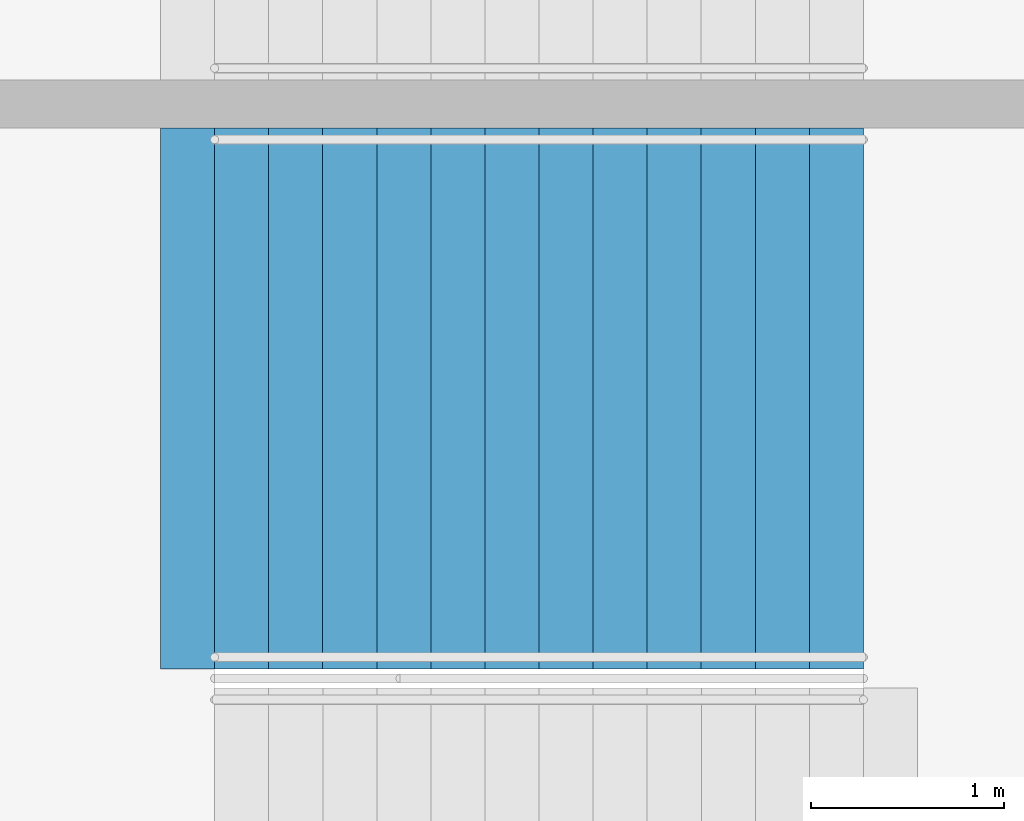
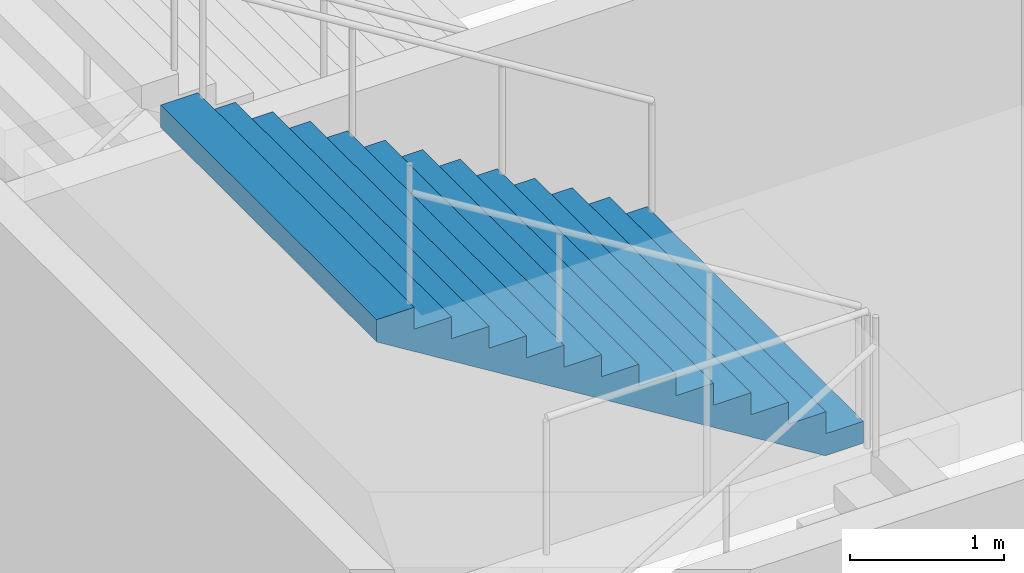
# One storey, part 120 of 177: 1 stair flight, 1 element without a shape of its own.
"""IFC4 building model written with IfcOpenShell, lengths in metres."""

from ifc_helpers import new_model, si_unit, direction, frame, origin, place, context, subcontext, project, spatial, faceted_brep, material, type_object, element, aggregate, save


model = new_model("IFC4")

# Units and contexts
model_context = context("Model", 3, precision=1e-05, world=origin(), true_north=direction((0.0, 1.0)))
body_context = subcontext(model_context, "Body", "Model", "MODEL_VIEW")
ifc_project = project(units=[si_unit("LENGTHUNIT", "METRE"), si_unit("AREAUNIT", "SQUARE_METRE"), si_unit("VOLUMEUNIT", "CUBIC_METRE"), si_unit("PLANEANGLEUNIT", "RADIAN"), si_unit("MASSUNIT", "GRAM", prefix="KILO")], contexts=[model_context])

# Site, building, storey
site_placement = place(None, origin())
site = spatial("IfcSite", under=ifc_project, at=site_placement, CompositionType="ELEMENT")
building_placement = place(site_placement, origin())
building = spatial("IfcBuilding", under=site, at=building_placement, Name="Ogive Plaza Stadium", CompositionType="ELEMENT")
storey_placement = place(building_placement, frame((0.0, 0.0, 18.0)))
storey = spatial("IfcBuildingStorey", under=building, at=storey_placement, Name="L04", CompositionType="ELEMENT", Elevation=18.0)

# Stair, stair flight
ifc_material_1 = material(Name="Concrete C40/50", Category="concrete")
stair_type = type_object("IfcStairType", Name="Exit stair", PredefinedType="STRAIGHT_RUN_STAIR", material=ifc_material_1)
stair_placement = place(storey_placement, origin())
stair = element("IfcStair", 1, at=stair_placement, inside=storey, type_object=stair_type, Name="Exit stair ST08A L04 to L05", PredefinedType="STRAIGHT_RUN_STAIR")
ifc_material_2 = material(Name="Concrete C40/50", Category="concrete")
stair_flight_type = type_object("IfcStairFlightType", Name="Exit stair flight", PredefinedType="STRAIGHT", material=ifc_material_2)
stair_flight_placement = place(storey_placement, frame((79.7099609375, -54.02490234375, 2.25), z_axis=(0.0, 0.0, 1.0), x_axis=(-1.0, 0.0, 0.0)))
stair_flight = element("IfcStairFlight", 2, at=stair_flight_placement, type_object=stair_flight_type, Name="ST08A flight 2", NumberOfRisers=13, NumberOfTreads=12, PredefinedType="STRAIGHT", RiserHeight=0.173076923, TreadLength=0.28, context=body_context, shape_type="Brep", body=[
    faceted_brep([(0.28515625, -1.39990234375, 0.0), (3.639892578125, -1.39990234375, 2.07373046875), (3.639892578125, -1.39990234375, 2.25), (3.360107421875, -1.39990234375, 2.25), (3.360107421875, -1.39990234375, 2.076904296875), (3.080078125, -1.39990234375, 2.076904296875), (3.080078125, -1.39990234375, 1.90380859375), (2.800048828125, -1.39990234375, 1.90380859375), (2.800048828125, -1.39990234375, 1.730712890625), (2.52001953125, -1.39990234375, 1.730712890625), (2.52001953125, -1.39990234375, 1.5576171875), (2.239990234375, -1.39990234375, 1.5576171875), (2.239990234375, -1.39990234375, 1.384521484375), (1.9599609375, -1.39990234375, 1.384521484375), (1.9599609375, -1.39990234375, 1.21142578125), (1.679931640625, -1.39990234375, 1.21142578125), (1.679931640625, -1.39990234375, 1.03857421875), (1.39990234375, -1.39990234375, 1.03857421875), (1.39990234375, -1.39990234375, 0.865478515625), (1.1201171875, -1.39990234375, 0.865478515625), (1.1201171875, -1.39990234375, 0.6923828125), (0.840087890625, -1.39990234375, 0.6923828125), (0.840087890625, -1.39990234375, 0.519287109375), (0.56005859375, -1.39990234375, 0.519287109375), (0.56005859375, -1.39990234375, 0.34619140625), (0.280029296875, -1.39990234375, 0.34619140625), (0.280029296875, -1.39990234375, 0.173095703125), (0.0, -1.39990234375, 0.173095703125), (0.0, -1.39990234375, 0.0), (0.0, 1.39990234375, 0.0), (0.0, 1.39990234375, 0.173095703125), (0.280029296875, 1.39990234375, 0.173095703125), (0.280029296875, 1.39990234375, 0.34619140625), (0.56005859375, 1.39990234375, 0.34619140625), (0.56005859375, 1.39990234375, 0.519287109375), (0.840087890625, 1.39990234375, 0.519287109375), (0.840087890625, 1.39990234375, 0.6923828125), (1.1201171875, 1.39990234375, 0.6923828125), (1.1201171875, 1.39990234375, 0.865478515625), (1.39990234375, 1.39990234375, 0.865478515625), (1.39990234375, 1.39990234375, 1.03857421875), (1.679931640625, 1.39990234375, 1.03857421875), (1.679931640625, 1.39990234375, 1.21142578125), (1.9599609375, 1.39990234375, 1.21142578125), (1.9599609375, 1.39990234375, 1.384521484375), (2.239990234375, 1.39990234375, 1.384521484375), (2.239990234375, 1.39990234375, 1.5576171875), (2.52001953125, 1.39990234375, 1.5576171875), (2.52001953125, 1.39990234375, 1.730712890625), (2.800048828125, 1.39990234375, 1.730712890625), (2.800048828125, 1.39990234375, 1.90380859375), (3.080078125, 1.39990234375, 1.90380859375), (3.080078125, 1.39990234375, 2.076904296875), (3.360107421875, 1.39990234375, 2.076904296875), (3.360107421875, 1.39990234375, 2.25), (3.639892578125, 1.39990234375, 2.25), (3.639892578125, 1.39990234375, 2.07373046875), (0.28515625, 1.39990234375, 0.0), (0.28515625, -1.0888671875, 0.0), (3.639892578125, -1.0888671875, 2.07373046875), (0.28515625, -0.77783203125, 0.0), (3.639892578125, -0.77783203125, 2.07373046875), (0.28515625, -0.466796875, 0.0), (3.639892578125, -0.466796875, 2.07373046875), (0.28515625, -0.155517578125, 0.0), (3.639892578125, -0.155517578125, 2.07373046875), (0.28515625, 0.155517578125, 0.0), (3.639892578125, 0.155517578125, 2.07373046875), (0.28515625, 0.466796875, 0.0), (3.639892578125, 0.466796875, 2.07373046875), (0.28515625, 0.77783203125, 0.0), (3.639892578125, 0.77783203125, 2.07373046875), (0.28515625, 1.0888671875, 0.0), (3.639892578125, 1.0888671875, 2.07373046875), (3.639892578125, -1.0888671875, 2.25), (3.639892578125, -0.77783203125, 2.25), (3.639892578125, -0.466796875, 2.25), (3.639892578125, -0.155517578125, 2.25), (3.639892578125, 0.155517578125, 2.25), (3.639892578125, 0.466796875, 2.25), (3.639892578125, 0.77783203125, 2.25), (3.639892578125, 1.0888671875, 2.25), (3.360107421875, -1.0888671875, 2.25), (3.360107421875, -0.77783203125, 2.25), (3.360107421875, -0.466796875, 2.25), (3.360107421875, -0.155517578125, 2.25), (3.360107421875, 0.155517578125, 2.25), (3.360107421875, 0.466796875, 2.25), (3.360107421875, 0.77783203125, 2.25), (3.360107421875, 1.0888671875, 2.25), (3.360107421875, -1.0888671875, 2.076904296875), (3.360107421875, -0.77783203125, 2.076904296875), (3.360107421875, -0.466796875, 2.076904296875), (3.360107421875, -0.155517578125, 2.076904296875), (3.360107421875, 0.155517578125, 2.076904296875), (3.360107421875, 0.466796875, 2.076904296875), (3.360107421875, 0.77783203125, 2.076904296875), (3.360107421875, 1.0888671875, 2.076904296875), (3.080078125, -1.0888671875, 2.076904296875), (3.080078125, -0.77783203125, 2.076904296875), (3.080078125, -0.466796875, 2.076904296875), (3.080078125, -0.155517578125, 2.076904296875), (3.080078125, 0.155517578125, 2.076904296875), (3.080078125, 0.466796875, 2.076904296875), (3.080078125, 0.77783203125, 2.076904296875), (3.080078125, 1.0888671875, 2.076904296875), (3.080078125, -1.0888671875, 1.90380859375), (3.080078125, -0.77783203125, 1.90380859375), (3.080078125, -0.466796875, 1.90380859375), (3.080078125, -0.155517578125, 1.90380859375), (3.080078125, 0.155517578125, 1.90380859375), (3.080078125, 0.466796875, 1.90380859375), (3.080078125, 0.77783203125, 1.90380859375), (3.080078125, 1.0888671875, 1.90380859375), (2.800048828125, -1.0888671875, 1.90380859375), (2.800048828125, -0.77783203125, 1.90380859375), (2.800048828125, -0.466796875, 1.90380859375), (2.800048828125, -0.155517578125, 1.90380859375), (2.800048828125, 0.155517578125, 1.90380859375), (2.800048828125, 0.466796875, 1.90380859375), (2.800048828125, 0.77783203125, 1.90380859375), (2.800048828125, 1.0888671875, 1.90380859375), (2.800048828125, -1.0888671875, 1.730712890625), (2.800048828125, -0.77783203125, 1.730712890625), (2.800048828125, -0.466796875, 1.730712890625), (2.800048828125, -0.155517578125, 1.730712890625), (2.800048828125, 0.155517578125, 1.730712890625), (2.800048828125, 0.466796875, 1.730712890625), (2.800048828125, 0.77783203125, 1.730712890625), (2.800048828125, 1.0888671875, 1.730712890625), (2.52001953125, -1.0888671875, 1.730712890625), (2.52001953125, -0.77783203125, 1.730712890625), (2.52001953125, -0.466796875, 1.730712890625), (2.52001953125, -0.155517578125, 1.730712890625), (2.52001953125, 0.155517578125, 1.730712890625), (2.52001953125, 0.466796875, 1.730712890625), (2.52001953125, 0.77783203125, 1.730712890625), (2.52001953125, 1.0888671875, 1.730712890625), (2.52001953125, -1.0888671875, 1.5576171875), (2.52001953125, -0.77783203125, 1.5576171875), (2.52001953125, -0.466796875, 1.5576171875), (2.52001953125, -0.155517578125, 1.5576171875), (2.52001953125, 0.155517578125, 1.5576171875), (2.52001953125, 0.466796875, 1.5576171875), (2.52001953125, 0.77783203125, 1.5576171875), (2.52001953125, 1.0888671875, 1.5576171875), (2.239990234375, -1.0888671875, 1.5576171875), (2.239990234375, -0.77783203125, 1.5576171875), (2.239990234375, -0.466796875, 1.5576171875), (2.239990234375, -0.155517578125, 1.5576171875), (2.239990234375, 0.155517578125, 1.5576171875), (2.239990234375, 0.466796875, 1.5576171875), (2.239990234375, 0.77783203125, 1.5576171875), (2.239990234375, 1.0888671875, 1.5576171875), (2.239990234375, -1.0888671875, 1.384521484375), (2.239990234375, -0.77783203125, 1.384521484375), (2.239990234375, -0.466796875, 1.384521484375), (2.239990234375, -0.155517578125, 1.384521484375), (2.239990234375, 0.155517578125, 1.384521484375), (2.239990234375, 0.466796875, 1.384521484375), (2.239990234375, 0.77783203125, 1.384521484375), (2.239990234375, 1.0888671875, 1.384521484375), (1.9599609375, -1.0888671875, 1.384521484375), (1.9599609375, -0.77783203125, 1.384521484375), (1.9599609375, -0.466796875, 1.384521484375), (1.9599609375, -0.155517578125, 1.384521484375), (1.9599609375, 0.155517578125, 1.384521484375), (1.9599609375, 0.466796875, 1.384521484375), (1.9599609375, 0.77783203125, 1.384521484375), (1.9599609375, 1.0888671875, 1.384521484375), (1.9599609375, -1.0888671875, 1.21142578125), (1.9599609375, -0.77783203125, 1.21142578125), (1.9599609375, -0.466796875, 1.21142578125), (1.9599609375, -0.155517578125, 1.21142578125), (1.9599609375, 0.155517578125, 1.21142578125), (1.9599609375, 0.466796875, 1.21142578125), (1.9599609375, 0.77783203125, 1.21142578125), (1.9599609375, 1.0888671875, 1.21142578125), (1.679931640625, -1.0888671875, 1.21142578125), (1.679931640625, -0.77783203125, 1.21142578125), (1.679931640625, -0.466796875, 1.21142578125), (1.679931640625, -0.155517578125, 1.21142578125), (1.679931640625, 0.155517578125, 1.21142578125), (1.679931640625, 0.466796875, 1.21142578125), (1.679931640625, 0.77783203125, 1.21142578125), (1.679931640625, 1.0888671875, 1.21142578125), (1.679931640625, -1.0888671875, 1.03857421875), (1.679931640625, -0.77783203125, 1.03857421875), (1.679931640625, -0.466796875, 1.03857421875), (1.679931640625, -0.155517578125, 1.03857421875), (1.679931640625, 0.155517578125, 1.03857421875), (1.679931640625, 0.466796875, 1.03857421875), (1.679931640625, 0.77783203125, 1.03857421875), (1.679931640625, 1.0888671875, 1.03857421875), (1.39990234375, -1.0888671875, 1.03857421875), (1.39990234375, -0.77783203125, 1.03857421875), (1.39990234375, -0.466796875, 1.03857421875), (1.39990234375, -0.155517578125, 1.03857421875), (1.39990234375, 0.155517578125, 1.03857421875), (1.39990234375, 0.466796875, 1.03857421875), (1.39990234375, 0.77783203125, 1.03857421875), (1.39990234375, 1.0888671875, 1.03857421875), (1.39990234375, -1.0888671875, 0.865478515625), (1.39990234375, -0.77783203125, 0.865478515625), (1.39990234375, -0.466796875, 0.865478515625), (1.39990234375, -0.155517578125, 0.865478515625), (1.39990234375, 0.155517578125, 0.865478515625), (1.39990234375, 0.466796875, 0.865478515625), (1.39990234375, 0.77783203125, 0.865478515625), (1.39990234375, 1.0888671875, 0.865478515625), (1.1201171875, -1.0888671875, 0.865478515625), (1.1201171875, -0.77783203125, 0.865478515625), (1.1201171875, -0.466796875, 0.865478515625), (1.1201171875, -0.155517578125, 0.865478515625), (1.1201171875, 0.155517578125, 0.865478515625), (1.1201171875, 0.466796875, 0.865478515625), (1.1201171875, 0.77783203125, 0.865478515625), (1.1201171875, 1.0888671875, 0.865478515625), (1.1201171875, -1.0888671875, 0.6923828125), (1.1201171875, -0.77783203125, 0.6923828125), (1.1201171875, -0.466796875, 0.6923828125), (1.1201171875, -0.155517578125, 0.6923828125), (1.1201171875, 0.155517578125, 0.6923828125), (1.1201171875, 0.466796875, 0.6923828125), (1.1201171875, 0.77783203125, 0.6923828125), (1.1201171875, 1.0888671875, 0.6923828125), (0.840087890625, -1.0888671875, 0.6923828125), (0.840087890625, -0.77783203125, 0.6923828125), (0.840087890625, -0.466796875, 0.6923828125), (0.840087890625, -0.155517578125, 0.6923828125), (0.840087890625, 0.155517578125, 0.6923828125), (0.840087890625, 0.466796875, 0.6923828125), (0.840087890625, 0.77783203125, 0.6923828125), (0.840087890625, 1.0888671875, 0.6923828125), (0.840087890625, -1.0888671875, 0.519287109375), (0.840087890625, -0.77783203125, 0.519287109375), (0.840087890625, -0.466796875, 0.519287109375), (0.840087890625, -0.155517578125, 0.519287109375), (0.840087890625, 0.155517578125, 0.519287109375), (0.840087890625, 0.466796875, 0.519287109375), (0.840087890625, 0.77783203125, 0.519287109375), (0.840087890625, 1.0888671875, 0.519287109375), (0.56005859375, -1.0888671875, 0.519287109375), (0.56005859375, -0.77783203125, 0.519287109375), (0.56005859375, -0.466796875, 0.519287109375), (0.56005859375, -0.155517578125, 0.519287109375), (0.56005859375, 0.155517578125, 0.519287109375), (0.56005859375, 0.466796875, 0.519287109375), (0.56005859375, 0.77783203125, 0.519287109375), (0.56005859375, 1.0888671875, 0.519287109375), (0.56005859375, -1.0888671875, 0.34619140625), (0.56005859375, -0.77783203125, 0.34619140625), (0.56005859375, -0.466796875, 0.34619140625), (0.56005859375, -0.155517578125, 0.34619140625), (0.56005859375, 0.155517578125, 0.34619140625), (0.56005859375, 0.466796875, 0.34619140625), (0.56005859375, 0.77783203125, 0.34619140625), (0.56005859375, 1.0888671875, 0.34619140625), (0.280029296875, -1.0888671875, 0.34619140625), (0.280029296875, -0.77783203125, 0.34619140625), (0.280029296875, -0.466796875, 0.34619140625), (0.280029296875, -0.155517578125, 0.34619140625), (0.280029296875, 0.155517578125, 0.34619140625), (0.280029296875, 0.466796875, 0.34619140625), (0.280029296875, 0.77783203125, 0.34619140625), (0.280029296875, 1.0888671875, 0.34619140625), (0.280029296875, -1.0888671875, 0.173095703125), (0.280029296875, -0.77783203125, 0.173095703125), (0.280029296875, -0.466796875, 0.173095703125), (0.280029296875, -0.155517578125, 0.173095703125), (0.280029296875, 0.155517578125, 0.173095703125), (0.280029296875, 0.466796875, 0.173095703125), (0.280029296875, 0.77783203125, 0.173095703125), (0.280029296875, 1.0888671875, 0.173095703125), (0.0, -1.0888671875, 0.173095703125), (0.0, -0.77783203125, 0.173095703125), (0.0, -0.466796875, 0.173095703125), (0.0, -0.155517578125, 0.173095703125), (0.0, 0.155517578125, 0.173095703125), (0.0, 0.466796875, 0.173095703125), (0.0, 0.77783203125, 0.173095703125), (0.0, 1.0888671875, 0.173095703125), (0.0, -1.0888671875, 0.0), (0.0, -0.77783203125, 0.0), (0.0, -0.466796875, 0.0), (0.0, -0.155517578125, 0.0), (0.0, 0.155517578125, 0.0), (0.0, 0.466796875, 0.0), (0.0, 0.77783203125, 0.0), (0.0, 1.0888671875, 0.0)], [[[0, 1, 2, 3, 4, 5, 6, 7, 8, 9, 10, 11, 12, 13, 14, 15, 16, 17, 18, 19, 20, 21, 22, 23, 24, 25, 26, 27, 28]], [[29, 30, 31, 32, 33, 34, 35, 36, 37, 38, 39, 40, 41, 42, 43, 44, 45, 46, 47, 48, 49, 50, 51, 52, 53, 54, 55, 56, 57]], [[0, 58, 59, 1]], [[58, 60, 61, 59]], [[60, 62, 63, 61]], [[62, 64, 65, 63]], [[64, 66, 67, 65]], [[66, 68, 69, 67]], [[68, 70, 71, 69]], [[70, 72, 73, 71]], [[72, 57, 56, 73]], [[1, 59, 74, 2]], [[59, 61, 75, 74]], [[61, 63, 76, 75]], [[63, 65, 77, 76]], [[65, 67, 78, 77]], [[67, 69, 79, 78]], [[69, 71, 80, 79]], [[71, 73, 81, 80]], [[73, 56, 55, 81]], [[2, 74, 82, 3]], [[74, 75, 83, 82]], [[75, 76, 84, 83]], [[76, 77, 85, 84]], [[77, 78, 86, 85]], [[78, 79, 87, 86]], [[79, 80, 88, 87]], [[80, 81, 89, 88]], [[81, 55, 54, 89]], [[3, 82, 90, 4]], [[82, 83, 91, 90]], [[83, 84, 92, 91]], [[84, 85, 93, 92]], [[85, 86, 94, 93]], [[86, 87, 95, 94]], [[87, 88, 96, 95]], [[88, 89, 97, 96]], [[89, 54, 53, 97]], [[4, 90, 98, 5]], [[90, 91, 99, 98]], [[91, 92, 100, 99]], [[92, 93, 101, 100]], [[93, 94, 102, 101]], [[94, 95, 103, 102]], [[95, 96, 104, 103]], [[96, 97, 105, 104]], [[97, 53, 52, 105]], [[5, 98, 106, 6]], [[98, 99, 107, 106]], [[99, 100, 108, 107]], [[100, 101, 109, 108]], [[101, 102, 110, 109]], [[102, 103, 111, 110]], [[103, 104, 112, 111]], [[104, 105, 113, 112]], [[105, 52, 51, 113]], [[6, 106, 114, 7]], [[106, 107, 115, 114]], [[107, 108, 116, 115]], [[108, 109, 117, 116]], [[109, 110, 118, 117]], [[110, 111, 119, 118]], [[111, 112, 120, 119]], [[112, 113, 121, 120]], [[113, 51, 50, 121]], [[7, 114, 122, 8]], [[114, 115, 123, 122]], [[115, 116, 124, 123]], [[116, 117, 125, 124]], [[117, 118, 126, 125]], [[118, 119, 127, 126]], [[119, 120, 128, 127]], [[120, 121, 129, 128]], [[121, 50, 49, 129]], [[8, 122, 130, 9]], [[122, 123, 131, 130]], [[123, 124, 132, 131]], [[124, 125, 133, 132]], [[125, 126, 134, 133]], [[126, 127, 135, 134]], [[127, 128, 136, 135]], [[128, 129, 137, 136]], [[129, 49, 48, 137]], [[9, 130, 138, 10]], [[130, 131, 139, 138]], [[131, 132, 140, 139]], [[132, 133, 141, 140]], [[133, 134, 142, 141]], [[134, 135, 143, 142]], [[135, 136, 144, 143]], [[136, 137, 145, 144]], [[137, 48, 47, 145]], [[10, 138, 146, 11]], [[138, 139, 147, 146]], [[139, 140, 148, 147]], [[140, 141, 149, 148]], [[141, 142, 150, 149]], [[142, 143, 151, 150]], [[143, 144, 152, 151]], [[144, 145, 153, 152]], [[145, 47, 46, 153]], [[11, 146, 154, 12]], [[146, 147, 155, 154]], [[147, 148, 156, 155]], [[148, 149, 157, 156]], [[149, 150, 158, 157]], [[150, 151, 159, 158]], [[151, 152, 160, 159]], [[152, 153, 161, 160]], [[153, 46, 45, 161]], [[12, 154, 162, 13]], [[154, 155, 163, 162]], [[155, 156, 164, 163]], [[156, 157, 165, 164]], [[157, 158, 166, 165]], [[158, 159, 167, 166]], [[159, 160, 168, 167]], [[160, 161, 169, 168]], [[161, 45, 44, 169]], [[13, 162, 170, 14]], [[162, 163, 171, 170]], [[163, 164, 172, 171]], [[164, 165, 173, 172]], [[165, 166, 174, 173]], [[166, 167, 175, 174]], [[167, 168, 176, 175]], [[168, 169, 177, 176]], [[169, 44, 43, 177]], [[14, 170, 178, 15]], [[170, 171, 179, 178]], [[171, 172, 180, 179]], [[172, 173, 181, 180]], [[173, 174, 182, 181]], [[174, 175, 183, 182]], [[175, 176, 184, 183]], [[176, 177, 185, 184]], [[177, 43, 42, 185]], [[15, 178, 186, 16]], [[178, 179, 187, 186]], [[179, 180, 188, 187]], [[180, 181, 189, 188]], [[181, 182, 190, 189]], [[182, 183, 191, 190]], [[183, 184, 192, 191]], [[184, 185, 193, 192]], [[185, 42, 41, 193]], [[16, 186, 194, 17]], [[186, 187, 195, 194]], [[187, 188, 196, 195]], [[188, 189, 197, 196]], [[189, 190, 198, 197]], [[190, 191, 199, 198]], [[191, 192, 200, 199]], [[192, 193, 201, 200]], [[193, 41, 40, 201]], [[17, 194, 202, 18]], [[194, 195, 203, 202]], [[195, 196, 204, 203]], [[196, 197, 205, 204]], [[197, 198, 206, 205]], [[198, 199, 207, 206]], [[199, 200, 208, 207]], [[200, 201, 209, 208]], [[201, 40, 39, 209]], [[18, 202, 210, 19]], [[202, 203, 211, 210]], [[203, 204, 212, 211]], [[204, 205, 213, 212]], [[205, 206, 214, 213]], [[206, 207, 215, 214]], [[207, 208, 216, 215]], [[208, 209, 217, 216]], [[209, 39, 38, 217]], [[19, 210, 218, 20]], [[210, 211, 219, 218]], [[211, 212, 220, 219]], [[212, 213, 221, 220]], [[213, 214, 222, 221]], [[214, 215, 223, 222]], [[215, 216, 224, 223]], [[216, 217, 225, 224]], [[217, 38, 37, 225]], [[20, 218, 226, 21]], [[218, 219, 227, 226]], [[219, 220, 228, 227]], [[220, 221, 229, 228]], [[221, 222, 230, 229]], [[222, 223, 231, 230]], [[223, 224, 232, 231]], [[224, 225, 233, 232]], [[225, 37, 36, 233]], [[21, 226, 234, 22]], [[226, 227, 235, 234]], [[227, 228, 236, 235]], [[228, 229, 237, 236]], [[229, 230, 238, 237]], [[230, 231, 239, 238]], [[231, 232, 240, 239]], [[232, 233, 241, 240]], [[233, 36, 35, 241]], [[22, 234, 242, 23]], [[234, 235, 243, 242]], [[235, 236, 244, 243]], [[236, 237, 245, 244]], [[237, 238, 246, 245]], [[238, 239, 247, 246]], [[239, 240, 248, 247]], [[240, 241, 249, 248]], [[241, 35, 34, 249]], [[23, 242, 250, 24]], [[242, 243, 251, 250]], [[243, 244, 252, 251]], [[244, 245, 253, 252]], [[245, 246, 254, 253]], [[246, 247, 255, 254]], [[247, 248, 256, 255]], [[248, 249, 257, 256]], [[249, 34, 33, 257]], [[24, 250, 258, 25]], [[250, 251, 259, 258]], [[251, 252, 260, 259]], [[252, 253, 261, 260]], [[253, 254, 262, 261]], [[254, 255, 263, 262]], [[255, 256, 264, 263]], [[256, 257, 265, 264]], [[257, 33, 32, 265]], [[25, 258, 266, 26]], [[258, 259, 267, 266]], [[259, 260, 268, 267]], [[260, 261, 269, 268]], [[261, 262, 270, 269]], [[262, 263, 271, 270]], [[263, 264, 272, 271]], [[264, 265, 273, 272]], [[265, 32, 31, 273]], [[26, 266, 274, 27]], [[266, 267, 275, 274]], [[267, 268, 276, 275]], [[268, 269, 277, 276]], [[269, 270, 278, 277]], [[270, 271, 279, 278]], [[271, 272, 280, 279]], [[272, 273, 281, 280]], [[273, 31, 30, 281]], [[27, 274, 282, 28]], [[274, 275, 283, 282]], [[275, 276, 284, 283]], [[276, 277, 285, 284]], [[277, 278, 286, 285]], [[278, 279, 287, 286]], [[279, 280, 288, 287]], [[280, 281, 289, 288]], [[281, 30, 29, 289]], [[28, 282, 58, 0]], [[282, 283, 60, 58]], [[283, 284, 62, 60]], [[284, 285, 64, 62]], [[285, 286, 66, 64]], [[286, 287, 68, 66]], [[287, 288, 70, 68]], [[288, 289, 72, 70]], [[289, 29, 57, 72]]]),
])
aggregate(stair, [stair_flight])

save(model, "model.ifc")
